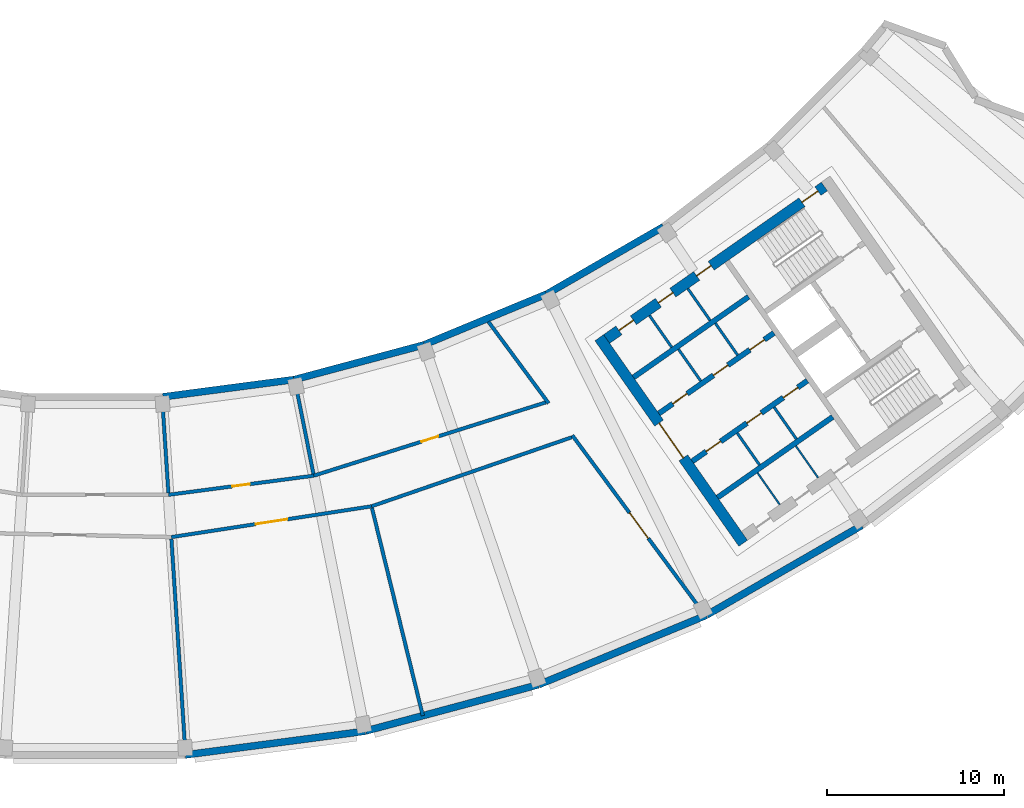
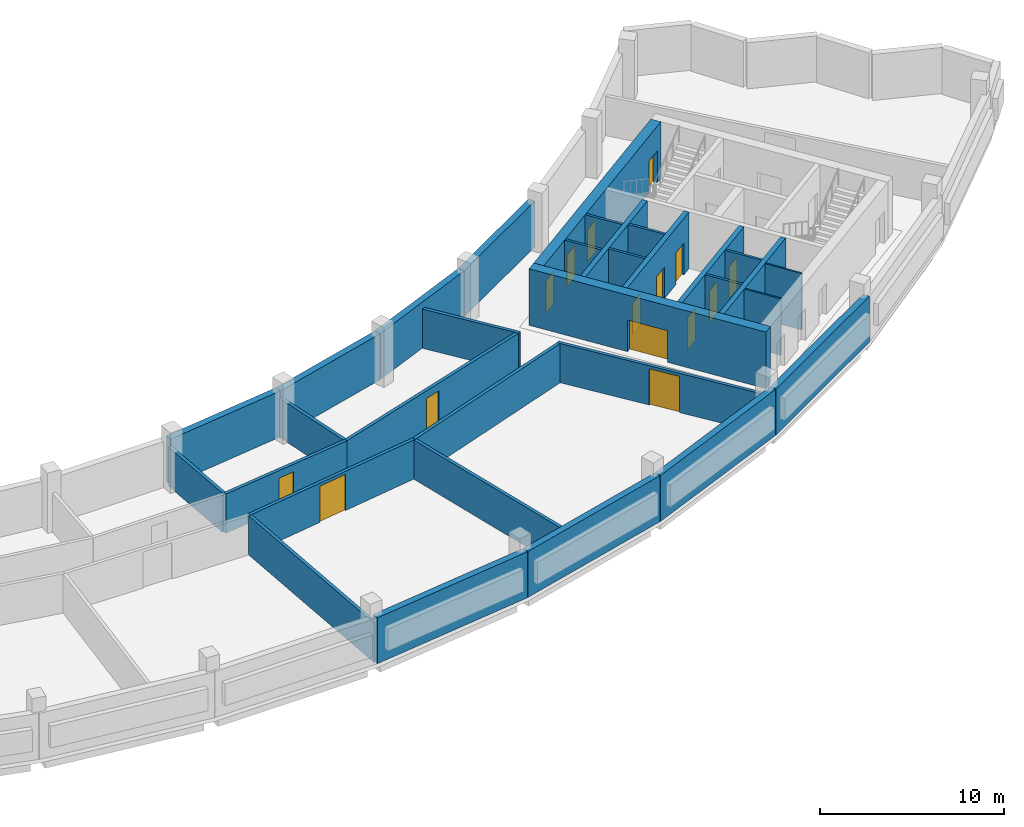
# One storey, part 5 of 11: 32 walls, 15 doors, 15 openings.
"""IFC4 building model written with IfcOpenShell, lengths in metres."""

from ifc_helpers import new_model, si_unit, direction, frame, frame_2d, origin, place, context, subcontext, project, spatial, rectangle, extrude, material, layer, layer_set, type_object, element, fill, save


model = new_model("IFC4")

# Units and contexts
model_context = context("Model", 3, precision=1e-05, world=origin(), true_north=direction((0.0, 1.0)))
body_context = subcontext(model_context, "Body", "Model", "MODEL_VIEW")
ifc_project = project(units=[si_unit("LENGTHUNIT", "METRE"), si_unit("AREAUNIT", "SQUARE_METRE"), si_unit("VOLUMEUNIT", "CUBIC_METRE"), si_unit("PLANEANGLEUNIT", "RADIAN"), si_unit("MASSUNIT", "GRAM", prefix="KILO")], contexts=[model_context])

# Site, building, storey
site_placement = place(None, origin())
site = spatial("IfcSite", under=ifc_project, at=site_placement, CompositionType="ELEMENT")
building_placement = place(site_placement, origin())
building = spatial("IfcBuilding", under=site, at=building_placement, Name="Qamariyya Broadcast Tower", CompositionType="ELEMENT")
storey_placement = place(building_placement, frame((0.0, 0.0, 310.699951171875)))
storey = spatial("IfcBuildingStorey", under=building, at=storey_placement, Name="L75", CompositionType="ELEMENT", Elevation=310.699951171875)

# Wall, opening, door
ifc_material_1 = material(Name="Concrete C60/75", Category="concrete")
ifc_layer_1 = layer(ifc_material_1, 0.60009765625)
ifc_layer_set_1 = layer_set([ifc_layer_1], Name="Core wall 600 mm Concrete C60/75")
wall_type_1 = type_object("IfcWallType", Name="Core wall 600 mm Concrete C60/75", PredefinedType="SHEAR", material=ifc_layer_set_1)
wall_1_placement = place(storey_placement, frame((36.66748046875, -66.005126953125, 0.0), z_axis=(0.0, 0.0, 1.0), x_axis=(-0.573568499524, 0.819157601658, 0.0)))
wall_1 = element("IfcWall", 1, at=wall_1_placement, inside=storey, type_object=wall_type_1, Name="k-E-L75-WA", PredefinedType="SHEAR", context=body_context, shape_type="SweptSolid", body=[
    extrude(rectangle(XDim=14.19970703125, YDim=0.60009765625, at=frame_2d((7.099853515625, 0.0))), origin(), (0.0, 0.0, 1.0), 3.75),
])
opening_1_placement = place(wall_1_placement, frame((5.89990234375, 0.0, 0.0)))
opening_1 = element("IfcOpeningElement", 2, at=opening_1_placement, cuts=wall_1, Name="Opening KD3-E1", PredefinedType="OPENING", context=body_context, shape_type="SweptSolid", body=[
    extrude(rectangle(XDim=2.39990234375, YDim=2.10009765625, at=frame_2d((1.199951171875, 1.050048828125))), frame((0.0, 0.31005859375, 0.0), z_axis=(0.0, -1.0, 0.0), x_axis=(1.0, 0.0, 0.0)), (0.0, 0.0, 1.0), 0.6201171875),
])
ifc_material_2 = material(Name="Steel fire-resisting door leaf", Category="steel")
door_type_1 = type_object("IfcDoorType", Name="Lift lobby door KD3", OperationType="DOUBLE_DOOR_SINGLE_SWING", PredefinedType="DOOR", material=ifc_material_2)
door_1_placement = place(opening_1_placement, origin())
door_1 = element("IfcDoor", 3, at=door_1_placement, inside=storey, type_object=door_type_1, Name="k-E-L75-WA-D1", OperationType="DOUBLE_DOOR_SINGLE_SWING", OverallHeight=2.10009765625, OverallWidth=2.39990234375, PredefinedType="DOOR", context=body_context, shape_type="SweptSolid", body=[
    extrude(rectangle(XDim=2.39990234375, YDim=2.10009765625, at=frame_2d((1.199951171875, 1.050048828125))), frame((0.0, 0.02490234375, 0.0), z_axis=(0.0, -1.0, 0.0), x_axis=(1.0, 0.0, 0.0)), (0.0, 0.0, 1.0), 0.050048828125),
])
fill(opening_1, door_1)

# Wall, openings, doors
wall_2_placement = place(storey_placement, frame((28.940673828125, -54.447021484375, 0.0), z_axis=(0.0, 0.0, 1.0), x_axis=(0.819153391756, 0.573574511963, 0.0)))
wall_2 = element("IfcWall", 4, at=wall_2_placement, inside=storey, type_object=wall_type_1, Name="k-E-L75-WI", PredefinedType="SHEAR", context=body_context, shape_type="SweptSolid", body=[
    extrude(rectangle(XDim=15.04541015625, YDim=0.60009765625, at=frame_2d((7.522705078125, 0.0))), origin(), (0.0, 0.0, 1.0), 3.75),
])
opening_2_placement = place(wall_2_placement, frame((0.85009765625, 0.0, 0.0)))
opening_2 = element("IfcOpeningElement", 5, at=opening_2_placement, cuts=wall_2, Name="Opening KD4-E7", PredefinedType="OPENING", context=body_context, shape_type="SweptSolid", body=[
    extrude(rectangle(XDim=1.0, YDim=2.10009765625, at=frame_2d((0.5, 1.050048828125))), frame((0.0, 0.31005859375, 0.0), z_axis=(0.0, -1.0, 0.0), x_axis=(1.0, 0.0, 0.0)), (0.0, 0.0, 1.0), 0.6201171875),
])
opening_3_placement = place(wall_2_placement, frame((3.574951171875, 0.0, 0.0)))
opening_3 = element("IfcOpeningElement", 6, at=opening_3_placement, cuts=wall_2, Name="Opening KD4-E8", PredefinedType="OPENING", context=body_context, shape_type="SweptSolid", body=[
    extrude(rectangle(XDim=1.0, YDim=2.10009765625, at=frame_2d((0.5, 1.050048828125))), frame((0.0, 0.31005859375, 0.0), z_axis=(0.0, -1.0, 0.0), x_axis=(1.0, 0.0, 0.0)), (0.0, 0.0, 1.0), 0.6201171875),
])
opening_4_placement = place(wall_2_placement, frame((6.22509765625, 0.0, 0.0)))
opening_4 = element("IfcOpeningElement", 7, at=opening_4_placement, cuts=wall_2, Name="Opening KD4-E9", PredefinedType="OPENING", context=body_context, shape_type="SweptSolid", body=[
    extrude(rectangle(XDim=1.0, YDim=2.10009765625, at=frame_2d((0.5, 1.050048828125))), frame((0.0, 0.31005859375, 0.0), z_axis=(0.0, -1.0, 0.0), x_axis=(1.0, 0.0, 0.0)), (0.0, 0.0, 1.0), 0.6201171875),
])
opening_5_placement = place(wall_2_placement, frame((13.495361328125, 0.0, 0.0)))
opening_5 = element("IfcOpeningElement", 8, at=opening_5_placement, cuts=wall_2, Name="Opening KD1-E1", PredefinedType="OPENING", context=body_context, shape_type="SweptSolid", body=[
    extrude(rectangle(XDim=1.10009765625, YDim=2.10009765625, at=frame_2d((0.550048828125, 1.050048828125))), frame((0.0, 0.31005859375, 0.0), z_axis=(0.0, -1.0, 0.0), x_axis=(1.0, 0.0, 0.0)), (0.0, 0.0, 1.0), 0.6201171875),
])
door_type_2 = type_object("IfcDoorType", Name="Riser and plant door KD4", OperationType="SINGLE_SWING_LEFT", PredefinedType="DOOR", material=ifc_material_2)
door_2_placement = place(opening_2_placement, origin())
door_2 = element("IfcDoor", 9, at=door_2_placement, inside=storey, type_object=door_type_2, Name="k-E-L75-WI-D8", OperationType="SINGLE_SWING_RIGHT", OverallHeight=2.10009765625, OverallWidth=1.0, PredefinedType="DOOR", context=body_context, shape_type="SweptSolid", body=[
    extrude(rectangle(XDim=1.0, YDim=2.10009765625, at=frame_2d((0.5, 1.050048828125))), frame((0.0, 0.02490234375, 0.0), z_axis=(0.0, -1.0, 0.0), x_axis=(1.0, 0.0, 0.0)), (0.0, 0.0, 1.0), 0.050048828125),
])
fill(opening_2, door_2)
door_3_placement = place(opening_3_placement, origin())
door_3 = element("IfcDoor", 10, at=door_3_placement, inside=storey, type_object=door_type_2, Name="k-E-L75-WI-D9", OperationType="SINGLE_SWING_LEFT", OverallHeight=2.10009765625, OverallWidth=1.0, PredefinedType="DOOR", context=body_context, shape_type="SweptSolid", body=[
    extrude(rectangle(XDim=1.0, YDim=2.10009765625, at=frame_2d((0.5, 1.050048828125))), frame((0.0, 0.02490234375, 0.0), z_axis=(0.0, -1.0, 0.0), x_axis=(1.0, 0.0, 0.0)), (0.0, 0.0, 1.0), 0.050048828125),
])
fill(opening_3, door_3)
door_4_placement = place(opening_4_placement, origin())
door_4 = element("IfcDoor", 11, at=door_4_placement, inside=storey, type_object=door_type_2, Name="k-E-L75-WI-D10", OperationType="SINGLE_SWING_RIGHT", OverallHeight=2.10009765625, OverallWidth=1.0, PredefinedType="DOOR", context=body_context, shape_type="SweptSolid", body=[
    extrude(rectangle(XDim=1.0, YDim=2.10009765625, at=frame_2d((0.5, 1.050048828125))), frame((0.0, 0.02490234375, 0.0), z_axis=(0.0, -1.0, 0.0), x_axis=(1.0, 0.0, 0.0)), (0.0, 0.0, 1.0), 0.050048828125),
])
fill(opening_4, door_4)
door_type_3 = type_object("IfcDoorType", Name="Stair door KD1", OperationType="SINGLE_SWING_LEFT", PredefinedType="DOOR", material=ifc_material_2)
door_5_placement = place(opening_5_placement, origin())
door_5 = element("IfcDoor", 12, at=door_5_placement, inside=storey, type_object=door_type_3, Name="k-E-L75-WI-D17", OperationType="SINGLE_SWING_RIGHT", OverallHeight=2.10009765625, OverallWidth=1.10009765625, PredefinedType="DOOR", context=body_context, shape_type="SweptSolid", body=[
    extrude(rectangle(XDim=1.10009765625, YDim=2.10009765625, at=frame_2d((0.550048828125, 1.050048828125))), frame((0.0, 0.02490234375, 0.0), z_axis=(0.0, -1.0, 0.0), x_axis=(1.0, 0.0, 0.0)), (0.0, 0.0, 1.0), 0.050048828125),
])
fill(opening_5, door_5)

# Walls
ifc_material_3 = material(Name="Gypsum board partition on steel studs", Category="steel")
ifc_layer_2 = layer(ifc_material_3, 0.14990234375)
ifc_layer_set_2 = layer_set([ifc_layer_2], Name="Gypsum board partition 150 mm")
wall_type_2 = type_object("IfcWallType", Name="Gypsum board partition 150 mm", PredefinedType="PARTITIONING", material=ifc_layer_set_2)
for number, where, z_axis, x_axis, name in (
    (13, (34.26611328125, -56.822021484375, 0.0), (0.0, 0.0, 1.0), (-0.573581496053, 0.819148501424, 0.0), "k-E-L75-NC300"),
    (14, (36.35498046875, -55.359375, 0.0), (0.0, 0.0, 1.0), (-0.573581496053, 0.819148501424, 0.0), "k-E-L75-NC555"),
):
    element("IfcWall", number, at=place(storey_placement, frame(where, z_axis=z_axis, x_axis=x_axis)), inside=storey, type_object=wall_type_2, Name=name, PredefinedType="PARTITIONING", context=body_context, shape_type="SweptSolid", body=[
        extrude(rectangle(XDim=2.2001953125, YDim=0.14990234375, at=frame_2d((1.10009765625, 0.0))), origin(), (0.0, 0.0, 1.0), 3.75),
    ])
for number, where, z_axis, x_axis, name in (
    (15, (36.330810546875, -59.77099609375, 0.0), (0.0, 0.0, 1.0), (0.573633636671, -0.819111989218, 0.0), "k-E-L75-SC300"),
    (16, (38.419677734375, -58.308349609375, 0.0), (0.0, 0.0, 1.0), (0.573633636671, -0.819111989218, 0.0), "k-E-L75-SC555"),
    (17, (32.627197265625, -54.91748046875, 0.0), (0.0, 0.0, 1.0), (-0.573507030513, 0.819200638399, 0.0), "k-E-L75-NP275"),
    (18, (34.798095703125, -53.3974609375, 0.0), (0.0, 0.0, 1.0), (-0.573633636671, 0.819111989218, 0.0), "k-E-L75-NP540"),
):
    element("IfcWall", number, at=place(storey_placement, frame(where, z_axis=z_axis, x_axis=x_axis)), inside=storey, type_object=wall_type_2, Name=name, PredefinedType="PARTITIONING", context=body_context, shape_type="SweptSolid", body=[
        extrude(rectangle(XDim=2.199951171875, YDim=0.14990234375, at=frame_2d((1.10009765625, 0.0))), origin(), (0.0, 0.0, 1.0), 3.75),
    ])

# Wall, openings, doors
ifc_layer_3 = layer(ifc_material_1, 0.300048828125)
ifc_layer_set_3 = layer_set([ifc_layer_3], Name="Lift shaft wall 300 mm Concrete C60/75")
wall_type_3 = type_object("IfcWallType", Name="Lift shaft wall 300 mm Concrete C60/75", PredefinedType="SOLIDWALL", material=ifc_layer_set_3)
wall_3_placement = place(storey_placement, frame((31.89453125, -58.66552734375, 0.0), z_axis=(0.0, 0.0, 1.0), x_axis=(0.819166993208, 0.573555086491, 0.0)))
wall_3 = element("IfcWall", 19, at=wall_3_placement, inside=storey, type_object=wall_type_3, Name="k-E-L75-NF0", PredefinedType="SOLIDWALL", context=body_context, shape_type="SweptSolid", body=[
    extrude(rectangle(XDim=7.9501953125, YDim=0.300048828125, at=frame_2d((3.97509765625, 0.0))), origin(), (0.0, 0.0, 1.0), 3.75),
])
opening_6_placement = place(wall_3_placement, frame((0.96240234375, 0.0, 0.0)))
opening_6 = element("IfcOpeningElement", 20, at=opening_6_placement, cuts=wall_3, Name="Opening KD4-E1", PredefinedType="OPENING", context=body_context, shape_type="SweptSolid", body=[
    extrude(rectangle(XDim=1.0, YDim=2.10009765625, at=frame_2d((0.5, 1.050048828125))), frame((0.0, 0.159912109375, 0.0), z_axis=(0.0, -1.0, 0.0), x_axis=(1.0, 0.0, 0.0)), (0.0, 0.0, 1.0), 0.320068359375),
])
opening_7_placement = place(wall_3_placement, frame((3.77490234375, 0.0, 0.0)))
opening_7 = element("IfcOpeningElement", 21, at=opening_7_placement, cuts=wall_3, Name="Opening KD4-E2", PredefinedType="OPENING", context=body_context, shape_type="SweptSolid", body=[
    extrude(rectangle(XDim=1.0, YDim=2.10009765625, at=frame_2d((0.5, 1.050048828125))), frame((0.0, 0.159912109375, 0.0), z_axis=(0.0, -1.0, 0.0), x_axis=(1.0, 0.0, 0.0)), (0.0, 0.0, 1.0), 0.320068359375),
])
opening_8_placement = place(wall_3_placement, frame((6.28759765625, 0.0, 0.0)))
opening_8 = element("IfcOpeningElement", 22, at=opening_8_placement, cuts=wall_3, Name="Opening KD4-E3", PredefinedType="OPENING", context=body_context, shape_type="SweptSolid", body=[
    extrude(rectangle(XDim=1.0, YDim=2.10009765625, at=frame_2d((0.5, 1.050048828125))), frame((0.0, 0.159912109375, 0.0), z_axis=(0.0, -1.0, 0.0), x_axis=(1.0, 0.0, 0.0)), (0.0, 0.0, 1.0), 0.320068359375),
])
door_6_placement = place(opening_6_placement, origin())
door_6 = element("IfcDoor", 23, at=door_6_placement, inside=storey, type_object=door_type_2, Name="k-E-L75-NF0-D2", OperationType="SINGLE_SWING_RIGHT", OverallHeight=2.10009765625, OverallWidth=1.0, PredefinedType="DOOR", context=body_context, shape_type="SweptSolid", body=[
    extrude(rectangle(XDim=1.0, YDim=2.10009765625, at=frame_2d((0.5, 1.050048828125))), frame((0.0, 0.02490234375, 0.0), z_axis=(0.0, -1.0, 0.0), x_axis=(1.0, 0.0, 0.0)), (0.0, 0.0, 1.0), 0.050048828125),
])
fill(opening_6, door_6)
door_7_placement = place(opening_7_placement, origin())
door_7 = element("IfcDoor", 24, at=door_7_placement, inside=storey, type_object=door_type_2, Name="k-E-L75-NF0-D3", OperationType="SINGLE_SWING_LEFT", OverallHeight=2.10009765625, OverallWidth=1.0, PredefinedType="DOOR", context=body_context, shape_type="SweptSolid", body=[
    extrude(rectangle(XDim=1.0, YDim=2.10009765625, at=frame_2d((0.5, 1.050048828125))), frame((0.0, 0.02490234375, 0.0), z_axis=(0.0, -1.0, 0.0), x_axis=(1.0, 0.0, 0.0)), (0.0, 0.0, 1.0), 0.050048828125),
])
fill(opening_7, door_7)
door_8_placement = place(opening_8_placement, origin())
door_8 = element("IfcDoor", 25, at=door_8_placement, inside=storey, type_object=door_type_2, Name="k-E-L75-NF0-D4", OperationType="SINGLE_SWING_RIGHT", OverallHeight=2.10009765625, OverallWidth=1.0, PredefinedType="DOOR", context=body_context, shape_type="SweptSolid", body=[
    extrude(rectangle(XDim=1.0, YDim=2.10009765625, at=frame_2d((0.5, 1.050048828125))), frame((0.0, 0.02490234375, 0.0), z_axis=(0.0, -1.0, 0.0), x_axis=(1.0, 0.0, 0.0)), (0.0, 0.0, 1.0), 0.050048828125),
])
fill(opening_8, door_8)

# Wall
wall_4_placement = place(storey_placement, frame((30.460693359375, -56.61767578125, 0.0), z_axis=(0.0, 0.0, 1.0), x_axis=(0.819142461705, 0.573590121456, 0.0)))
element("IfcWall", 26, at=wall_4_placement, inside=storey, type_object=wall_type_3, Name="k-E-L75-NB0", PredefinedType="SOLIDWALL", context=body_context, shape_type="SweptSolid", body=[
    extrude(rectangle(XDim=7.949951171875, YDim=0.300048828125, at=frame_2d((3.97509765625, 0.0))), origin(), (0.0, 0.0, 1.0), 3.75),
])

# Wall, openings, doors
wall_5_placement = place(storey_placement, frame((33.787353515625, -61.368896484375, 0.0), z_axis=(0.0, 0.0, 1.0), x_axis=(0.819152564888, 0.573575692858, 0.0)))
wall_5 = element("IfcWall", 27, at=wall_5_placement, inside=storey, type_object=wall_type_3, Name="k-E-L75-SF0", PredefinedType="SOLIDWALL", context=body_context, shape_type="SweptSolid", body=[
    extrude(rectangle(XDim=7.9501953125, YDim=0.300048828125, at=frame_2d((3.97509765625, 0.0))), origin(), (0.0, 0.0, 1.0), 3.75),
])
opening_9_placement = place(wall_5_placement, frame((0.96240234375, 0.0, 0.0)))
opening_9 = element("IfcOpeningElement", 28, at=opening_9_placement, cuts=wall_5, Name="Opening KD4-E4", PredefinedType="OPENING", context=body_context, shape_type="SweptSolid", body=[
    extrude(rectangle(XDim=1.0, YDim=2.10009765625, at=frame_2d((0.5, 1.050048828125))), frame((0.0, 0.159912109375, 0.0), z_axis=(0.0, -1.0, 0.0), x_axis=(1.0, 0.0, 0.0)), (0.0, 0.0, 1.0), 0.320068359375),
])
opening_10_placement = place(wall_5_placement, frame((3.77490234375, 0.0, 0.0)))
opening_10 = element("IfcOpeningElement", 29, at=opening_10_placement, cuts=wall_5, Name="Opening KD4-E5", PredefinedType="OPENING", context=body_context, shape_type="SweptSolid", body=[
    extrude(rectangle(XDim=1.0, YDim=2.10009765625, at=frame_2d((0.5, 1.050048828125))), frame((0.0, 0.159912109375, 0.0), z_axis=(0.0, -1.0, 0.0), x_axis=(1.0, 0.0, 0.0)), (0.0, 0.0, 1.0), 0.320068359375),
])
opening_11_placement = place(wall_5_placement, frame((6.28759765625, 0.0, 0.0)))
opening_11 = element("IfcOpeningElement", 30, at=opening_11_placement, cuts=wall_5, Name="Opening KD4-E6", PredefinedType="OPENING", context=body_context, shape_type="SweptSolid", body=[
    extrude(rectangle(XDim=1.0, YDim=2.10009765625, at=frame_2d((0.5, 1.050048828125))), frame((0.0, 0.159912109375, 0.0), z_axis=(0.0, -1.0, 0.0), x_axis=(1.0, 0.0, 0.0)), (0.0, 0.0, 1.0), 0.320068359375),
])
door_9_placement = place(opening_9_placement, origin())
door_9 = element("IfcDoor", 31, at=door_9_placement, inside=storey, type_object=door_type_2, Name="k-E-L75-SF0-D5", OperationType="SINGLE_SWING_LEFT", OverallHeight=2.10009765625, OverallWidth=1.0, PredefinedType="DOOR", context=body_context, shape_type="SweptSolid", body=[
    extrude(rectangle(XDim=1.0, YDim=2.10009765625, at=frame_2d((0.5, 1.050048828125))), frame((0.0, 0.02490234375, 0.0), z_axis=(0.0, -1.0, 0.0), x_axis=(1.0, 0.0, 0.0)), (0.0, 0.0, 1.0), 0.050048828125),
])
fill(opening_9, door_9)
door_10_placement = place(opening_10_placement, origin())
door_10 = element("IfcDoor", 32, at=door_10_placement, inside=storey, type_object=door_type_2, Name="k-E-L75-SF0-D6", OperationType="SINGLE_SWING_RIGHT", OverallHeight=2.10009765625, OverallWidth=1.0, PredefinedType="DOOR", context=body_context, shape_type="SweptSolid", body=[
    extrude(rectangle(XDim=1.0, YDim=2.10009765625, at=frame_2d((0.5, 1.050048828125))), frame((0.0, 0.02490234375, 0.0), z_axis=(0.0, -1.0, 0.0), x_axis=(1.0, 0.0, 0.0)), (0.0, 0.0, 1.0), 0.050048828125),
])
fill(opening_10, door_10)
door_11_placement = place(opening_11_placement, origin())
door_11 = element("IfcDoor", 33, at=door_11_placement, inside=storey, type_object=door_type_2, Name="k-E-L75-SF0-D7", OperationType="SINGLE_SWING_LEFT", OverallHeight=2.10009765625, OverallWidth=1.0, PredefinedType="DOOR", context=body_context, shape_type="SweptSolid", body=[
    extrude(rectangle(XDim=1.0, YDim=2.10009765625, at=frame_2d((0.5, 1.050048828125))), frame((0.0, 0.02490234375, 0.0), z_axis=(0.0, -1.0, 0.0), x_axis=(1.0, 0.0, 0.0)), (0.0, 0.0, 1.0), 0.050048828125),
])
fill(opening_11, door_11)

# Walls
wall_6_placement = place(storey_placement, frame((35.22119140625, -63.41650390625, 0.0), z_axis=(0.0, 0.0, 1.0), x_axis=(0.819166993208, 0.573555086491, 0.0)))
element("IfcWall", 34, at=wall_6_placement, inside=storey, type_object=wall_type_3, Name="k-E-L75-SB0", PredefinedType="SOLIDWALL", context=body_context, shape_type="SweptSolid", body=[
    extrude(rectangle(XDim=7.9501953125, YDim=0.300048828125, at=frame_2d((3.97509765625, 0.0))), origin(), (0.0, 0.0, 1.0), 3.75),
])
ifc_material_4 = material(Name="Masonry block wall", Category="masonry")
ifc_layer_4 = layer(ifc_material_4, 0.199951171875)
ifc_layer_set_4 = layer_set([ifc_layer_4], Name="Plant room wall 200 EI 120")
wall_type_4 = type_object("IfcWallType", Name="Plant room wall 200 EI 120", PredefinedType="PARTITIONING", material=ifc_layer_set_4)
wall_7_placement = place(storey_placement, frame((3.796630859375, -57.92578125, 0.0), z_axis=(0.0, 0.0, 1.0), x_axis=(0.065429447175, -0.997857197921, 0.0)))
element("IfcWall", 35, at=wall_7_placement, inside=storey, type_object=wall_type_4, Name="Partition L75-014", PredefinedType="PARTITIONING", context=body_context, shape_type="SweptSolid", body=[
    extrude(rectangle(XDim=5.25, YDim=0.199951171875, at=frame_2d((2.625, 0.0))), origin(), (0.0, 0.0, 1.0), 2.60009765625),
])

# Wall, opening, door
wall_8_placement = place(storey_placement, frame((4.146484375, -63.26416015625, 0.0), z_axis=(0.0, 0.0, 1.0), x_axis=(0.991447881484, 0.130503250152, 0.0)))
wall_8 = element("IfcWall", 36, at=wall_8_placement, inside=storey, type_object=wall_type_4, Name="Partition L75-015", PredefinedType="PARTITIONING", context=body_context, shape_type="SweptSolid", body=[
    extrude(rectangle(XDim=8.293212890625, YDim=0.199951171875, at=frame_2d((4.146484375, 0.0))), origin(), (0.0, 0.0, 1.0), 2.60009765625),
])
opening_12_placement = place(wall_8_placement, frame((3.646484375, 0.0, 0.0)))
opening_12 = element("IfcOpeningElement", 37, at=opening_12_placement, cuts=wall_8, Name="Opening L75-D09", PredefinedType="OPENING", context=body_context, shape_type="SweptSolid", body=[
    extrude(rectangle(XDim=1.0, YDim=2.10009765625, at=frame_2d((0.5, 1.050048828125))), frame((0.0, 0.10986328125, 0.0), z_axis=(0.0, -1.0, 0.0), x_axis=(1.0, 0.0, 0.0)), (0.0, 0.0, 1.0), 0.219970703125),
])
ifc_material_5 = material(Name="Insulated metal door leaf")
door_type_4 = type_object("IfcDoorType", Name="Plant door 1000 x 2100 FD120", OperationType="NOTDEFINED", PredefinedType="DOOR", material=ifc_material_5)
door_12_placement = place(opening_12_placement, origin())
door_12 = element("IfcDoor", 38, at=door_12_placement, inside=storey, type_object=door_type_4, Name="Door L75-D09", OperationType="SINGLE_SWING_RIGHT", OverallHeight=2.10009765625, OverallWidth=1.0, PredefinedType="DOOR", context=body_context, shape_type="SweptSolid", body=[
    extrude(rectangle(XDim=1.0, YDim=2.10009765625, at=frame_2d((0.5, 1.050048828125))), frame((0.0, 0.02490234375, 0.0), z_axis=(0.0, -1.0, 0.0), x_axis=(1.0, 0.0, 0.0)), (0.0, 0.0, 1.0), 0.050048828125),
])
fill(opening_12, door_12)

wall_9_placement = place(storey_placement, frame((15.637939453125, -63.914794921875, 0.0), z_axis=(0.0, 0.0, 1.0), x_axis=(-0.988363574422, -0.152109975859, 0.0)))
wall_9 = element("IfcWall", 39, at=wall_9_placement, inside=storey, type_object=wall_type_4, Name="Partition L75-016", PredefinedType="PARTITIONING", context=body_context, shape_type="SweptSolid", body=[
    extrude(rectangle(XDim=11.468017578125, YDim=0.199951171875, at=frame_2d((5.73388671875, 0.0))), origin(), (0.0, 0.0, 1.0), 2.60009765625),
])
opening_13_placement = place(wall_9_placement, frame((4.833984375, 0.0, 0.0)))
opening_13 = element("IfcOpeningElement", 40, at=opening_13_placement, cuts=wall_9, Name="Opening L75-D04", PredefinedType="OPENING", context=body_context, shape_type="SweptSolid", body=[
    extrude(rectangle(XDim=1.800048828125, YDim=2.39990234375, at=frame_2d((0.89990234375, 1.199951171875))), frame((0.0, 0.10986328125, 0.0), z_axis=(0.0, -1.0, 0.0), x_axis=(1.0, 0.0, 0.0)), (0.0, 0.0, 1.0), 0.219970703125),
])
door_type_5 = type_object("IfcDoorType", Name="Plant double door 1800 x 2400 FD120", OperationType="NOTDEFINED", PredefinedType="DOOR", material=ifc_material_5)
door_13_placement = place(opening_13_placement, origin())
door_13 = element("IfcDoor", 41, at=door_13_placement, inside=storey, type_object=door_type_5, Name="Door L75-D04", OperationType="DOUBLE_DOOR_SINGLE_SWING", OverallHeight=2.39990234375, OverallWidth=1.800048828125, PredefinedType="DOOR", context=body_context, shape_type="SweptSolid", body=[
    extrude(rectangle(XDim=1.800048828125, YDim=2.39990234375, at=frame_2d((0.89990234375, 1.199951171875))), frame((0.0, 0.02490234375, 0.0), z_axis=(0.0, -1.0, 0.0), x_axis=(1.0, 0.0, 0.0)), (0.0, 0.0, 1.0), 0.050048828125),
])
fill(opening_13, door_13)

# Walls
wall_10_placement = place(storey_placement, frame((5.111328125, -77.982666015625, 0.0), z_axis=(0.0, 0.0, 1.0), x_axis=(-0.065409169082, 0.997858527347, 0.0)))
element("IfcWall", 42, at=wall_10_placement, inside=storey, type_object=wall_type_4, Name="Partition L75-017", PredefinedType="PARTITIONING", context=body_context, shape_type="SweptSolid", body=[
    extrude(rectangle(XDim=12.25, YDim=0.199951171875, at=frame_2d((6.125, 0.0))), origin(), (0.0, 0.0, 1.0), 2.60009765625),
])
wall_11_placement = place(storey_placement, frame((11.324951171875, -56.9345703125, 0.0), z_axis=(0.0, 0.0, 1.0), x_axis=(0.195078658365, -0.980787600376, 0.0)))
element("IfcWall", 43, at=wall_11_placement, inside=storey, type_object=wall_type_4, Name="Partition L75-018", PredefinedType="PARTITIONING", context=body_context, shape_type="SweptSolid", body=[
    extrude(rectangle(XDim=5.25, YDim=0.199951171875, at=frame_2d((2.625, 0.0))), origin(), (0.0, 0.0, 1.0), 2.60009765625),
])

# Wall, opening, door
wall_12_placement = place(storey_placement, frame((12.36865234375, -62.181884765625, 0.0), z_axis=(0.0, 0.0, 1.0), x_axis=(0.953549709751, 0.301235706772, 0.0)))
wall_12 = element("IfcWall", 44, at=wall_12_placement, inside=storey, type_object=wall_type_4, Name="Partition L75-019", PredefinedType="PARTITIONING", context=body_context, shape_type="SweptSolid", body=[
    extrude(rectangle(XDim=13.77392578125, YDim=0.199951171875, at=frame_2d((6.886962890625, 0.0))), origin(), (0.0, 0.0, 1.0), 2.60009765625),
])
opening_14_placement = place(wall_12_placement, frame((6.386962890625, 0.0, 0.0)))
opening_14 = element("IfcOpeningElement", 45, at=opening_14_placement, cuts=wall_12, Name="Opening L75-D10", PredefinedType="OPENING", context=body_context, shape_type="SweptSolid", body=[
    extrude(rectangle(XDim=1.0, YDim=2.10009765625, at=frame_2d((0.5, 1.050048828125))), frame((0.0, 0.10986328125, 0.0), z_axis=(0.0, -1.0, 0.0), x_axis=(1.0, 0.0, 0.0)), (0.0, 0.0, 1.0), 0.219970703125),
])
door_14_placement = place(opening_14_placement, origin())
door_14 = element("IfcDoor", 46, at=door_14_placement, inside=storey, type_object=door_type_4, Name="Door L75-D10", OperationType="SINGLE_SWING_RIGHT", OverallHeight=2.10009765625, OverallWidth=1.0, PredefinedType="DOOR", context=body_context, shape_type="SweptSolid", body=[
    extrude(rectangle(XDim=1.0, YDim=2.10009765625, at=frame_2d((0.5, 1.050048828125))), frame((0.0, 0.02490234375, 0.0), z_axis=(0.0, -1.0, 0.0), x_axis=(1.0, 0.0, 0.0)), (0.0, 0.0, 1.0), 0.050048828125),
])
fill(opening_14, door_14)

# Walls
wall_13_placement = place(storey_placement, frame((15.637939453125, -63.914794921875, 0.0), z_axis=(0.0, 0.0, 1.0), x_axis=(0.945432745442, 0.325817316676, 0.0)))
element("IfcWall", 47, at=wall_13_placement, inside=storey, type_object=wall_type_4, Name="Partition L75-020", PredefinedType="PARTITIONING", context=body_context, shape_type="SweptSolid", body=[
    extrude(rectangle(XDim=11.978515625, YDim=0.199951171875, at=frame_2d((5.9892578125, 0.0))), origin(), (0.0, 0.0, 1.0), 2.60009765625),
])
wall_14_placement = place(storey_placement, frame((18.53759765625, -75.76611328125, 0.0), z_axis=(0.0, 0.0, 1.0), x_axis=(-0.23766673197, 0.971346758122, 0.0)))
element("IfcWall", 48, at=wall_14_placement, inside=storey, type_object=wall_type_4, Name="Partition L75-021", PredefinedType="PARTITIONING", context=body_context, shape_type="SweptSolid", body=[
    extrude(rectangle(XDim=12.100830078125, YDim=0.199951171875, at=frame_2d((6.05029296875, 0.0))), origin(), (0.0, 0.0, 1.0), 2.60009765625),
])
wall_15_placement = place(storey_placement, frame((22.251953125, -53.469482421875, 0.0), z_axis=(0.0, 0.0, 1.0), x_axis=(0.593885763016, -0.804549377283, 0.0)))
element("IfcWall", 49, at=wall_15_placement, inside=storey, type_object=wall_type_4, Name="Partition L75-022", PredefinedType="PARTITIONING", context=body_context, shape_type="SweptSolid", body=[
    extrude(rectangle(XDim=5.734375, YDim=0.199951171875, at=frame_2d((2.8671875, 0.0))), origin(), (0.0, 0.0, 1.0), 2.60009765625),
])

# Wall, opening, door
wall_16_placement = place(storey_placement, frame((34.534423828125, -70.109130859375, 0.0), z_axis=(0.0, 0.0, 1.0), x_axis=(-0.593866233023, 0.804563793167, 0.0)))
wall_16 = element("IfcWall", 50, at=wall_16_placement, inside=storey, type_object=wall_type_4, Name="Partition L75-023", PredefinedType="PARTITIONING", context=body_context, shape_type="SweptSolid", body=[
    extrude(rectangle(XDim=12.6904296875, YDim=0.199951171875, at=frame_2d((6.34521484375, 0.0))), origin(), (0.0, 0.0, 1.0), 2.60009765625),
])
opening_15_placement = place(wall_16_placement, frame((5.445068359375, 0.0, 0.0)))
opening_15 = element("IfcOpeningElement", 51, at=opening_15_placement, cuts=wall_16, Name="Opening L75-D05", PredefinedType="OPENING", context=body_context, shape_type="SweptSolid", body=[
    extrude(rectangle(XDim=1.800048828125, YDim=2.39990234375, at=frame_2d((0.89990234375, 1.199951171875))), frame((0.0, 0.10986328125, 0.0), z_axis=(0.0, -1.0, 0.0), x_axis=(1.0, 0.0, 0.0)), (0.0, 0.0, 1.0), 0.219970703125),
])
door_15_placement = place(opening_15_placement, origin())
door_15 = element("IfcDoor", 52, at=door_15_placement, inside=storey, type_object=door_type_5, Name="Door L75-D05", OperationType="DOUBLE_DOOR_SINGLE_SWING", OverallHeight=2.39990234375, OverallWidth=1.800048828125, PredefinedType="DOOR", context=body_context, shape_type="SweptSolid", body=[
    extrude(rectangle(XDim=1.800048828125, YDim=2.39990234375, at=frame_2d((0.89990234375, 1.199951171875))), frame((0.0, 0.02490234375, 0.0), z_axis=(0.0, -1.0, 0.0), x_axis=(1.0, 0.0, 0.0)), (0.0, 0.0, 1.0), 0.050048828125),
])
fill(opening_15, door_15)

# Walls
ifc_material_6 = material(Name="Fire-rated gypsum shaft liner on steel studs", Category="steel")
ifc_layer_5 = layer(ifc_material_6, 0.10009765625)
ifc_layer_set_5 = layer_set([ifc_layer_5], Name="Riser wall 100 mm")
wall_type_5 = type_object("IfcWallType", Name="Riser wall 100 mm", PredefinedType="PLUMBINGWALL", material=ifc_layer_set_5)
wall_17_placement = place(storey_placement, frame((37.47802734375, -62.01953125, 0.0), z_axis=(0.0, 0.0, 1.0), x_axis=(0.573581496053, -0.819148501424, 0.0)))
element("IfcWall", 53, at=wall_17_placement, inside=storey, type_object=wall_type_5, Name="k-E-L75-SP265", PredefinedType="PLUMBINGWALL", context=body_context, shape_type="SweptSolid", body=[
    extrude(rectangle(XDim=2.2001953125, YDim=0.10009765625, at=frame_2d((1.10009765625, 0.0))), origin(), (0.0, 0.0, 1.0), 3.75),
])
wall_18_placement = place(storey_placement, frame((39.64892578125, -60.49951171875, 0.0), z_axis=(0.0, 0.0, 1.0), x_axis=(0.573507030513, -0.819200638399, 0.0)))
element("IfcWall", 54, at=wall_18_placement, inside=storey, type_object=wall_type_5, Name="k-E-L75-SP530", PredefinedType="PLUMBINGWALL", context=body_context, shape_type="SweptSolid", body=[
    extrude(rectangle(XDim=2.199951171875, YDim=0.10009765625, at=frame_2d((1.10009765625, 0.0))), origin(), (0.0, 0.0, 1.0), 3.75),
])
ifc_material_7 = material(Name="Terracotta", Category="masonry")
ifc_layer_6 = layer(ifc_material_7, 0.39990234375)
ifc_layer_set_6 = layer_set([ifc_layer_6], Name="Solid terracotta louvred band wall 400")
wall_type_6 = type_object("IfcWallType", Name="Solid terracotta louvred band wall 400", PredefinedType="SOLIDWALL", material=ifc_layer_set_6)
wall_19_placement = place(storey_placement, frame((25.539794921875, -51.90380859375, 0.0), z_axis=(0.0, 0.0, 1.0), x_axis=(-0.923872151004, -0.382701252414, 0.0)))
element("IfcWall", 55, at=wall_19_placement, inside=storey, type_object=wall_type_6, Name="e-wl-L75-in100", PredefinedType="SOLIDWALL", context=body_context, shape_type="SweptSolid", body=[
    extrude(rectangle(XDim=7.4658203125, YDim=0.39990234375, at=frame_2d((3.73291015625, 0.0))), origin(), (0.0, 0.0, 1.0), 3.050048828125),
])
wall_20_placement = place(storey_placement, frame((32.16162109375, -48.08837890625, 0.0), z_axis=(0.0, 0.0, 1.0), x_axis=(-0.866025463095, -0.499999897272, 0.0)))
element("IfcWall", 56, at=wall_20_placement, inside=storey, type_object=wall_type_6, Name="e-wl-L75-in110", PredefinedType="SOLIDWALL", context=body_context, shape_type="SweptSolid", body=[
    extrude(rectangle(XDim=7.6171875, YDim=0.39990234375, at=frame_2d((3.80859375, 0.0))), origin(), (0.0, 0.0, 1.0), 3.050048828125),
])
wall_21_placement = place(storey_placement, frame((11.23583984375, -56.745361328125, 0.0), z_axis=(0.0, 0.0, 1.0), x_axis=(-0.991442493144, -0.130544179452, 0.0)))
element("IfcWall", 57, at=wall_21_placement, inside=storey, type_object=wall_type_6, Name="e-wl-L75-in80", PredefinedType="SOLIDWALL", context=body_context, shape_type="SweptSolid", body=[
    extrude(rectangle(XDim=7.4658203125, YDim=0.39990234375, at=frame_2d((3.73291015625, 0.0))), origin(), (0.0, 0.0, 1.0), 3.050048828125),
])
wall_22_placement = place(storey_placement, frame((18.61962890625, -54.77392578125, 0.0), z_axis=(0.0, 0.0, 1.0), x_axis=(-0.965927307138, -0.258813518437, 0.0)))
element("IfcWall", 58, at=wall_22_placement, inside=storey, type_object=wall_type_6, Name="e-wl-L75-in90", PredefinedType="SOLIDWALL", context=body_context, shape_type="SweptSolid", body=[
    extrude(rectangle(XDim=7.6171875, YDim=0.39990234375, at=frame_2d((3.80859375, 0.0))), origin(), (0.0, 0.0, 1.0), 3.050048828125),
])
wall_23_placement = place(storey_placement, frame((25.09716796875, -74.01171875, 0.0), z_axis=(0.0, 0.0, 1.0), x_axis=(0.923877211741, 0.382689035152, 0.0)))
element("IfcWall", 59, at=wall_23_placement, inside=storey, type_object=wall_type_6, Name="e-wl-L75-out100", PredefinedType="SOLIDWALL", context=body_context, shape_type="SweptSolid", body=[
    extrude(rectangle(XDim=10.2724609375, YDim=0.39990234375, at=frame_2d((5.13623046875, 0.0))), origin(), (0.0, 0.0, 1.0), 3.050048828125),
])
wall_24_placement = place(storey_placement, frame((34.608642578125, -70.06494140625, 0.0), z_axis=(0.0, 0.0, 1.0), x_axis=(0.866019679839, 0.500009914033, 0.0)))
element("IfcWall", 60, at=wall_24_placement, inside=storey, type_object=wall_type_6, Name="e-wl-L75-out110", PredefinedType="SOLIDWALL", context=body_context, shape_type="SweptSolid", body=[
    extrude(rectangle(XDim=10.120849609375, YDim=0.39990234375, at=frame_2d((5.060546875, 0.0))), origin(), (0.0, 0.0, 1.0), 3.050048828125),
])
wall_25_placement = place(storey_placement, frame((5.08642578125, -77.985595703125, 0.0), z_axis=(0.0, 0.0, 1.0), x_axis=(0.991444909321, 0.130525828027, 0.0)))
element("IfcWall", 61, at=wall_25_placement, inside=storey, type_object=wall_type_6, Name="e-wl-L75-out80", PredefinedType="SOLIDWALL", context=body_context, shape_type="SweptSolid", body=[
    extrude(rectangle(XDim=10.2724609375, YDim=0.39990234375, at=frame_2d((5.13623046875, 0.0))), origin(), (0.0, 0.0, 1.0), 3.050048828125),
])
wall_26_placement = place(storey_placement, frame((15.295166015625, -76.634765625, 0.0), z_axis=(0.0, 0.0, 1.0), x_axis=(0.965928778267, 0.258808027921, 0.0)))
element("IfcWall", 62, at=wall_26_placement, inside=storey, type_object=wall_type_6, Name="e-wl-L75-out90", PredefinedType="SOLIDWALL", context=body_context, shape_type="SweptSolid", body=[
    extrude(rectangle(XDim=10.120849609375, YDim=0.39990234375, at=frame_2d((5.060546875, 0.0))), origin(), (0.0, 0.0, 1.0), 3.050048828125),
])

save(model, "model.ifc")
